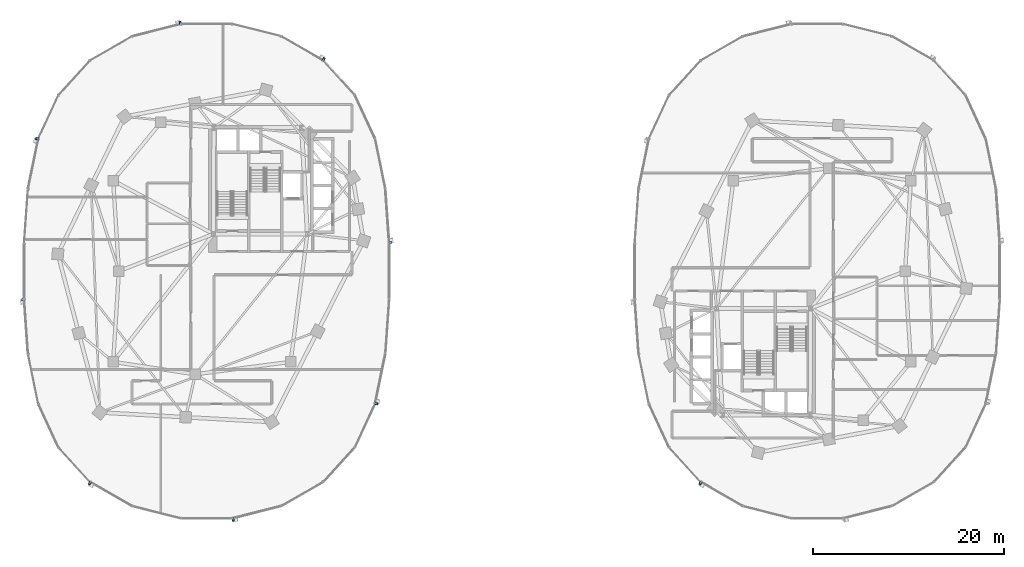
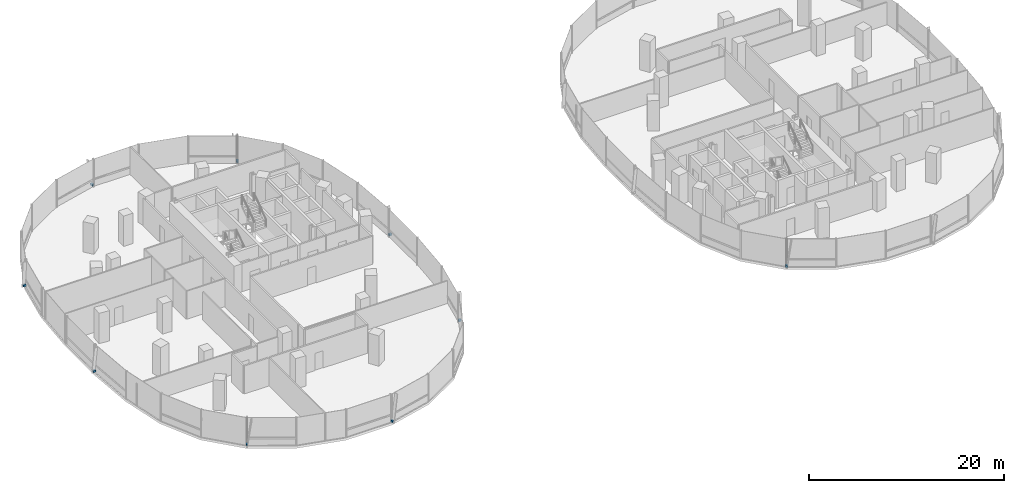
# One storey, part 15 of 21: 9 discrete accessories.
"""IFC4 building model written with IfcOpenShell, lengths in metres."""

from ifc_helpers import new_model, si_unit, direction, frame, origin, origin_2d, place, context, subcontext, project, spatial, rectangle, extrude, material, type_object, element, save


model = new_model("IFC4")

# Units and contexts
model_context = context("Model", 3, precision=1e-05, world=origin(), true_north=direction((0.0, 1.0)))
body_context = subcontext(model_context, "Body", "Model", "MODEL_VIEW")
ifc_project = project(units=[si_unit("LENGTHUNIT", "METRE"), si_unit("AREAUNIT", "SQUARE_METRE"), si_unit("VOLUMEUNIT", "CUBIC_METRE"), si_unit("PLANEANGLEUNIT", "RADIAN"), si_unit("MASSUNIT", "GRAM", prefix="KILO"), si_unit("THERMODYNAMICTEMPERATUREUNIT", "KELVIN"), si_unit("POWERUNIT", "WATT")], contexts=[model_context])

# Site, building, storey
site_placement = place(None, origin())
site = spatial("IfcSite", under=ifc_project, at=site_placement, CompositionType="ELEMENT")
building_placement = place(site_placement, origin())
building = spatial("IfcBuilding", under=site, at=building_placement, Name="Cundina Bronze Exchange", CompositionType="ELEMENT")
storey_placement = place(building_placement, frame((0.0, 0.0, 54.39990234375)))
storey = spatial("IfcBuildingStorey", under=building, at=storey_placement, Name="L13", CompositionType="ELEMENT", Elevation=54.39990234375)

# Discrete accessories
ifc_material = material(Name="Anodised Bronze Aluminium 6063-T6", Category="aluminium")
discrete_accessory_type = type_object("IfcDiscreteAccessoryType", Name="ACC-BRK-FIN", PredefinedType="BRACKET", material=ifc_material)
for number, where, z_axis, x_axis, name in (
    (1, (-12.735595703125, 2.986083984375, 0.10009765625), (0.0, 0.0, 1.0), (-0.070278787473, 0.997527389113, 0.0), "L13 Fin Support Bracket 1"),
    (2, (-19.740478515625, 22.21875, 0.10009765625), (0.0, 0.0, 1.0), (-0.867105478933, 0.498124571171, 0.0), "L13 Fin Support Bracket 5"),
    (3, (-34.76025390625, 26.03173828125, 0.10009765625), (0.0, 0.0, 1.0), (-0.969488149345, -0.245138182011, 0.0), "L13 Fin Support Bracket 1"),
    (4, (-49.788330078125, 13.8896484375, 0.10009765625), (0.0, 0.0, 1.0), (-0.201419845156, -0.979505000486, 0.0), "L13 Fin Support Bracket 5"),
    (5, (-51.264404296875, -2.986083984375, 0.10009765625), (0.0, 0.0, 1.0), (0.070278787473, -0.997527389113, 0.0), "L13 Fin Support Bracket 1"),
    (6, (-44.259521484375, -22.21875, 0.10009765625), (0.0, 0.0, 1.0), (0.867105478933, -0.498124571171, 0.0), "L13 Fin Support Bracket 5"),
    (7, (-29.23974609375, -26.03173828125, 0.10009765625), (0.0, 0.0, 1.0), (0.969488149345, 0.245138182011, 0.0), "L13 Fin Support Bracket 1"),
    (8, (-14.211669921875, -13.8896484375, 0.10009765625), (0.0, 0.0, 1.0), (0.201419845156, 0.979505000486, 0.0), "L13 Fin Support Bracket 5"),
    (9, (19.740478515625, -22.21875, 0.10009765625), (0.0, 0.0, 1.0), (0.867105478933, -0.498124571171, 0.0), "L13 Fin Support Bracket 5"),
):
    element("IfcDiscreteAccessory", number, at=place(storey_placement, frame(where, z_axis=z_axis, x_axis=x_axis)), inside=storey, type_object=discrete_accessory_type, Name=name, PredefinedType="BRACKET", context=body_context, shape_type="SweptSolid", body=[
        extrude(rectangle(XDim=0.219970703125, YDim=0.320068359375, at=origin_2d()), origin(), (0.0, 0.0, 1.0), 0.239990234375),
    ])

save(model, "model.ifc")
